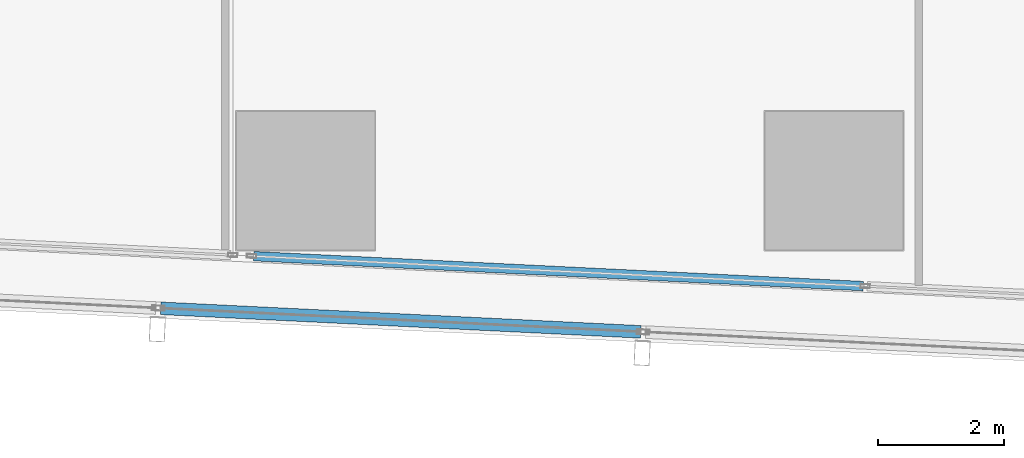
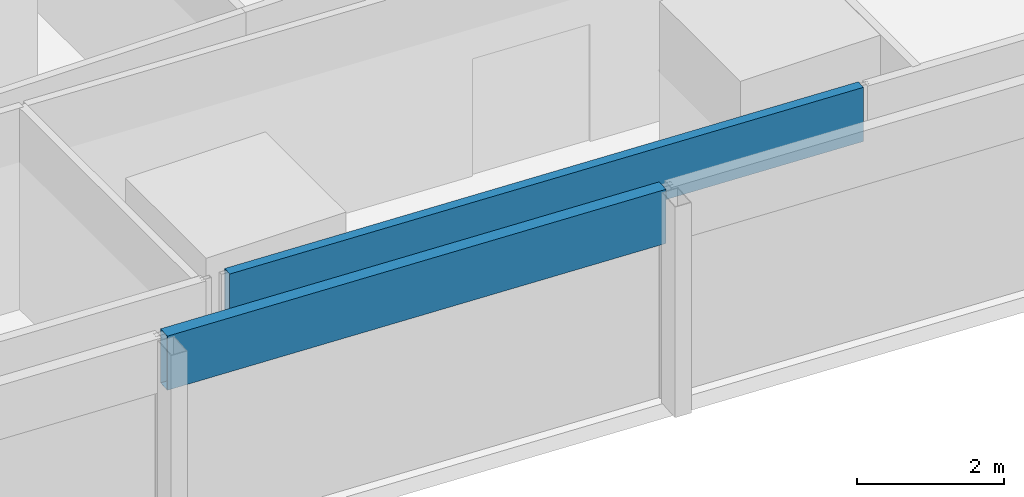
# One storey, part 3 of 44: 2 members, 2 elements without a shape of their own.
"""IFC4 building model written with IfcOpenShell, lengths in metres."""

from ifc_helpers import new_model, si_unit, direction, frame, origin, origin_2d, place, context, subcontext, project, spatial, hollow_rectangle, extrude, material, material_profile, profile_set, type_object, element, aggregate, save


model = new_model("IFC4")

# Units and contexts
model_context = context("Model", 3, precision=1e-05, world=origin(), true_north=direction((0.0, 1.0)))
body_context = subcontext(model_context, "Body", "Model", "MODEL_VIEW")
ifc_project = project(units=[si_unit("LENGTHUNIT", "METRE"), si_unit("AREAUNIT", "SQUARE_METRE"), si_unit("VOLUMEUNIT", "CUBIC_METRE"), si_unit("PLANEANGLEUNIT", "RADIAN"), si_unit("MASSUNIT", "GRAM", prefix="KILO")], contexts=[model_context])

# Site, building, storey
site_placement = place(None, origin())
site = spatial("IfcSite", under=ifc_project, at=site_placement, CompositionType="ELEMENT")
building_placement = place(site_placement, origin())
building = spatial("IfcBuilding", under=site, at=building_placement, Name="Rekha Terrace Tower", CompositionType="ELEMENT")
storey_placement = place(building_placement, frame((0.0, 0.0, 47.89990234375)))
storey = spatial("IfcBuildingStorey", under=building, at=storey_placement, Name="L11", CompositionType="ELEMENT", Elevation=47.89990234375)

# Curtain wall, member
ifc_material_1 = material(Name="Aluminium framing", Category="aluminium")
curtain_wall_type_1 = type_object("IfcCurtainWallType", Name="CW1 double skin inner glazing", PredefinedType="USERDEFINED", material=ifc_material_1)
curtain_wall_1_placement = place(storey_placement, origin())
curtain_wall_1 = element("IfcCurtainWall", 1, at=curtain_wall_1_placement, inside=storey, type_object=curtain_wall_type_1, Name="CW1 double skin inner glazing", ObjectType="DOUBLE SKIN INNER GLAZING", PredefinedType="USERDEFINED")
ifc_material_2 = material(Name="Insulated aluminium spandrel box", Category="aluminium")
ifc_material_profile_1 = material_profile(ifc_material_2, hollow_rectangle(XDim=0.14990234375, YDim=0.89990234375, WallThickness=0.0029296875, at=origin_2d()), Name="AL SPANDREL BOX 150x900")
ifc_profile_set_1 = profile_set([ifc_material_profile_1], Name="Insulated aluminium spandrel box")
member_type_1 = type_object("IfcMemberType", Name="CW1 spandrel transom 150 x 900", PredefinedType="USERDEFINED", material=ifc_profile_set_1)
member_1_placement = place(storey_placement, frame((15.973388671875, 7.200927734375, 3.050048828125), z_axis=(0.99879655824, -0.049045236754, 0.0), x_axis=(0.049045236754, 0.99879655824, 0.0)))
member_1 = element("IfcMember", 2, at=member_1_placement, type_object=member_type_1, Name="CW1 spandrel transom 1", ObjectType="TRANSOM", PredefinedType="USERDEFINED", context=body_context, shape_type="SweptSolid", body=[
    extrude(hollow_rectangle(XDim=0.14990234375, YDim=0.89990234375, WallThickness=0.0029296875, at=origin_2d()), origin(), (0.0, 0.0, 1.0), 9.701904296875),
])
aggregate(curtain_wall_1, [member_1])

curtain_wall_type_2 = type_object("IfcCurtainWallType", Name="CW2 double skin outer glazing", PredefinedType="USERDEFINED", material=ifc_material_1)
curtain_wall_2_placement = place(storey_placement, origin())
curtain_wall_2 = element("IfcCurtainWall", 3, at=curtain_wall_2_placement, inside=storey, type_object=curtain_wall_type_2, Name="CW2 double skin outer glazing", ObjectType="DOUBLE SKIN OUTER GLAZING", PredefinedType="USERDEFINED")
ifc_material_profile_2 = material_profile(ifc_material_2, hollow_rectangle(XDim=0.199951171875, YDim=0.89990234375, WallThickness=0.0029296875, at=origin_2d()), Name="AL SPANDREL BOX 200x900")
ifc_profile_set_2 = profile_set([ifc_material_profile_2], Name="Insulated aluminium spandrel box")
member_type_2 = type_object("IfcMemberType", Name="CW2 spandrel transom 200 x 900", PredefinedType="USERDEFINED", material=ifc_profile_set_2)
member_2_placement = place(storey_placement, frame((14.499755859375, 6.372314453125, 3.050048828125), z_axis=(0.998796511558, -0.049046187417, 0.0), x_axis=(0.049046187417, 0.998796511558, 0.0)))
member_2 = element("IfcMember", 4, at=member_2_placement, type_object=member_type_2, Name="CW2 spandrel transom 2", ObjectType="TRANSOM", PredefinedType="USERDEFINED", context=body_context, shape_type="SweptSolid", body=[
    extrude(hollow_rectangle(XDim=0.199951171875, YDim=0.89990234375, WallThickness=0.0029296875, at=origin_2d()), origin(), (0.0, 0.0, 1.0), 7.635986328125),
])
aggregate(curtain_wall_2, [member_2])

save(model, "model.ifc")
